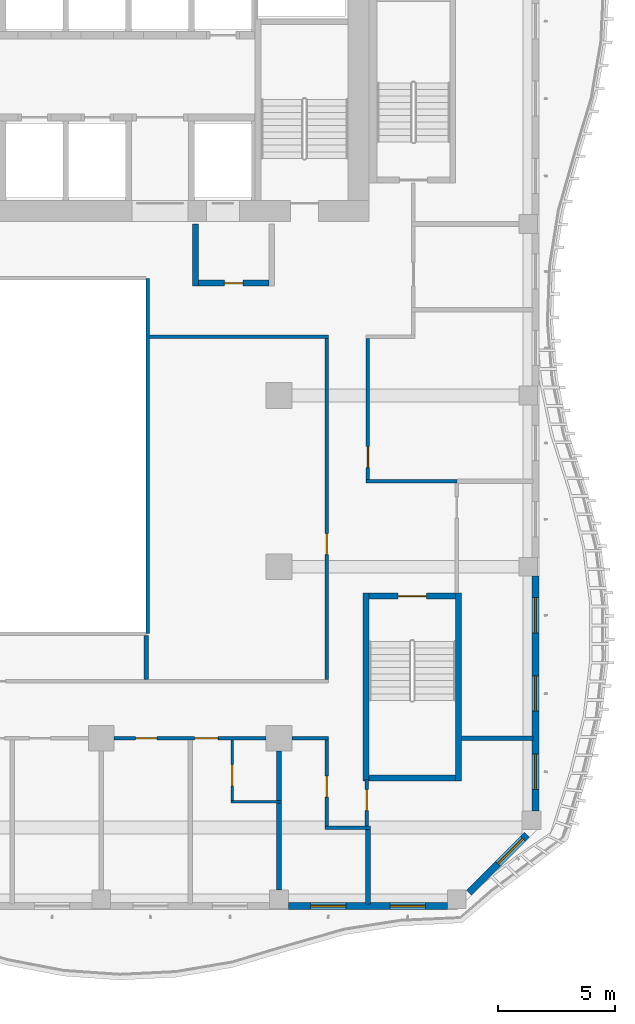
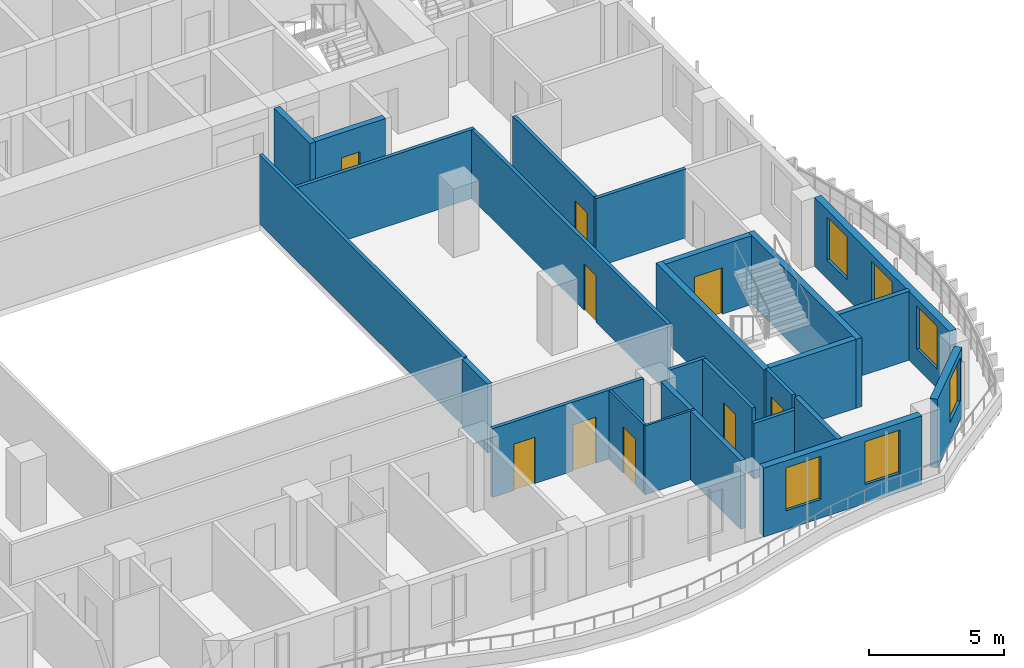
# One storey, part 5 of 22: 26 walls, 9 doors, 6 windows, 15 openings.
"""IFC4 building model written with IfcOpenShell, lengths in metres."""

from ifc_helpers import new_model, si_unit, direction, frame, frame_2d, origin, place, context, subcontext, project, spatial, rectangle, extrude, source, transform, mapped, material, layer, layer_set, type_object, element, fill, save


model = new_model("IFC4")

# Units and contexts
model_context = context("Model", 3, precision=1e-05, world=origin(), true_north=direction((0.0, 1.0)))
body_context = subcontext(model_context, "Body", "Model", "MODEL_VIEW")
ifc_project = project(units=[si_unit("LENGTHUNIT", "METRE"), si_unit("AREAUNIT", "SQUARE_METRE"), si_unit("VOLUMEUNIT", "CUBIC_METRE"), si_unit("PLANEANGLEUNIT", "RADIAN"), si_unit("MASSUNIT", "GRAM", prefix="KILO")], contexts=[model_context])

# Site, building, storey
site_placement = place(None, origin())
site = spatial("IfcSite", under=ifc_project, at=site_placement, CompositionType="ELEMENT")
building_placement = place(site_placement, origin())
building = spatial("IfcBuilding", under=site, at=building_placement, Name="Kilnfold Tower and Market Hall", CompositionType="ELEMENT")
storey_placement = place(building_placement, frame((0.0, 0.0, 143.89990234375)))
storey = spatial("IfcBuildingStorey", under=building, at=storey_placement, Name="L32", CompositionType="ELEMENT", Elevation=143.89990234375)

# Wall
ifc_material_1 = material(Name="Fire-resisting glazed screen")
ifc_layer_1 = layer(ifc_material_1, 0.14990234375)
ifc_layer_set_1 = layer_set([ifc_layer_1], Name="Fire-resisting glazed screen")
wall_type_1 = type_object("IfcWallType", Name="WALL ATRIUM 150", PredefinedType="PARTITIONING", material=ifc_layer_set_1)
wall_1_placement = place(storey_placement, frame((8.574951171875, 5.675048828125, 0.0), z_axis=(0.0, 0.0, 1.0), x_axis=(0.0, -1.0, 0.0)))
element("IfcWall", 1, at=wall_1_placement, inside=storey, type_object=wall_type_1, Name="Partition LY21.131", PredefinedType="PARTITIONING", context=body_context, shape_type="SweptSolid", body=[
    extrude(rectangle(XDim=15.150146484375, YDim=0.14990234375, at=frame_2d((7.5751953125, 0.0))), origin(), (0.0, 0.0, 1.0), 3.1201171875),
])

# Wall, openings, doors
ifc_material_2 = material(Name="Gypsum board on steel studs", Category="steel")
ifc_layer_2 = layer(ifc_material_2, 0.14990234375)
ifc_layer_set_2 = layer_set([ifc_layer_2], Name="Gypsum board on steel studs")
wall_type_2 = type_object("IfcWallType", Name="WALL CORRIDOR 150", PredefinedType="PARTITIONING", material=ifc_layer_set_2)
wall_2_placement = place(storey_placement, frame((7.133056640625, -13.93798828125, 0.0), z_axis=(0.0, 0.0, 1.0), x_axis=(1.0, 0.0, 0.0)))
wall_2 = element("IfcWall", 2, at=wall_2_placement, inside=storey, type_object=wall_type_2, Name="Partition LY21.5", PredefinedType="PARTITIONING", context=body_context, shape_type="SweptSolid", body=[
    extrude(rectangle(XDim=6.48388671875, YDim=0.14990234375, at=frame_2d((3.241943359375, 0.0))), origin(), (0.0, 0.0, 1.0), 3.1201171875),
])
opening_1_placement = place(wall_2_placement, frame((0.9189453125, 0.0, 0.0)))
opening_1 = element("IfcOpeningElement", 3, at=opening_1_placement, cuts=wall_2, Name="Opening D2", PredefinedType="OPENING", context=body_context, shape_type="SweptSolid", body=[
    extrude(rectangle(XDim=0.89990234375, YDim=2.10009765625, at=frame_2d((0.449951171875, 1.050048828125))), frame((0.0, 0.0849609375, 0.0), z_axis=(0.0, -1.0, 0.0), x_axis=(1.0, 0.0, 0.0)), (0.0, 0.0, 1.0), 0.169921875),
])
opening_2_placement = place(wall_2_placement, frame((3.431884765625, 0.0, 0.0)))
opening_2 = element("IfcOpeningElement", 4, at=opening_2_placement, cuts=wall_2, Name="Opening D1", PredefinedType="OPENING", context=body_context, shape_type="SweptSolid", body=[
    extrude(rectangle(XDim=1.0, YDim=2.10009765625, at=frame_2d((0.5, 1.050048828125))), frame((0.0, 0.0849609375, 0.0), z_axis=(0.0, -1.0, 0.0), x_axis=(1.0, 0.0, 0.0)), (0.0, 0.0, 1.0), 0.169921875),
])
ifc_material_3 = material(Name="Timber veneer door leaf in steel frame", Category="steel")
door_type_1 = type_object("IfcDoorType", Name="DOOR ENTRY 1000 X2100", OperationType="NOTDEFINED", PredefinedType="DOOR", material=ifc_material_3)
door_1_placement = place(opening_2_placement, origin())
door_1 = element("IfcDoor", 5, at=door_1_placement, inside=storey, type_object=door_type_1, Name="Door D1", OperationType="SINGLE_SWING_LEFT", OverallHeight=2.10009765625, OverallWidth=1.0, PredefinedType="DOOR", context=body_context, shape_type="SweptSolid", body=[
    extrude(rectangle(XDim=1.0, YDim=2.10009765625, at=frame_2d((0.5, 1.050048828125))), frame((0.0, 0.02490234375, 0.0), z_axis=(0.0, -1.0, 0.0), x_axis=(1.0, 0.0, 0.0)), (0.0, 0.0, 1.0), 0.050048828125),
])
fill(opening_2, door_1)
ifc_material_4 = material(Name="Timber veneer door leaf in steel frame", Category="steel")
door_type_2 = type_object("IfcDoorType", Name="DOOR ROOM 900 X2100", OperationType="NOTDEFINED", PredefinedType="DOOR", material=ifc_material_4)
door_2_placement = place(opening_1_placement, origin())
door_2 = element("IfcDoor", 6, at=door_2_placement, inside=storey, type_object=door_type_2, Name="Door D2", OperationType="SINGLE_SWING_RIGHT", OverallHeight=2.10009765625, OverallWidth=0.89990234375, PredefinedType="DOOR", context=body_context, shape_type="SweptSolid", body=[
    extrude(rectangle(XDim=0.89990234375, YDim=2.10009765625, at=frame_2d((0.449951171875, 1.050048828125))), frame((0.0, 0.02490234375, 0.0), z_axis=(0.0, -1.0, 0.0), x_axis=(1.0, 0.0, 0.0)), (0.0, 0.0, 1.0), 0.050048828125),
])
fill(opening_1, door_2)

# Wall
wall_3_placement = place(storey_placement, frame((16.125, -17.75, 0.0), z_axis=(0.0, 0.0, 1.0), x_axis=(1.0, 0.0, 0.0)))
element("IfcWall", 7, at=wall_3_placement, inside=storey, type_object=wall_type_2, Name="Partition LY21.6", PredefinedType="PARTITIONING", context=body_context, shape_type="SweptSolid", body=[
    extrude(rectangle(XDim=1.93408203125, YDim=0.14990234375, at=frame_2d((0.967041015625, 0.0))), origin(), (0.0, 0.0, 1.0), 2.52001953125),
])

# Wall, opening, door
wall_4_placement = place(storey_placement, frame((16.199951171875, -17.675048828125, 0.0), z_axis=(0.0, 0.0, 1.0), x_axis=(0.0, 1.0, 0.0)))
wall_4 = element("IfcWall", 8, at=wall_4_placement, inside=storey, type_object=wall_type_2, Name="Partition LY21.7", PredefinedType="PARTITIONING", context=body_context, shape_type="SweptSolid", body=[
    extrude(rectangle(XDim=3.662109375, YDim=0.14990234375, at=frame_2d((1.8310546875, 0.0))), origin(), (0.0, 0.0, 1.0), 3.1201171875),
])
opening_3_placement = place(wall_4_placement, frame((1.22705078125, 0.0, 0.0)))
opening_3 = element("IfcOpeningElement", 9, at=opening_3_placement, cuts=wall_4, Name="Opening D2", PredefinedType="OPENING", context=body_context, shape_type="SweptSolid", body=[
    extrude(rectangle(XDim=0.89990234375, YDim=2.10009765625, at=frame_2d((0.449951171875, 1.050048828125))), frame((0.0, 0.0849609375, 0.0), z_axis=(0.0, -1.0, 0.0), x_axis=(1.0, 0.0, 0.0)), (0.0, 0.0, 1.0), 0.169921875),
])
door_3_placement = place(opening_3_placement, origin())
door_3 = element("IfcDoor", 10, at=door_3_placement, inside=storey, type_object=door_type_2, Name="Door D2", OperationType="SINGLE_SWING_RIGHT", OverallHeight=2.10009765625, OverallWidth=0.89990234375, PredefinedType="DOOR", context=body_context, shape_type="SweptSolid", body=[
    extrude(rectangle(XDim=0.89990234375, YDim=2.10009765625, at=frame_2d((0.449951171875, 1.050048828125))), frame((0.0, 0.02490234375, 0.0), z_axis=(0.0, -1.0, 0.0), x_axis=(1.0, 0.0, 0.0)), (0.0, 0.0, 1.0), 0.050048828125),
])
fill(opening_3, door_3)

# Wall
wall_5_placement = place(storey_placement, frame((14.717041015625, -13.93798828125, 0.0), z_axis=(0.0, 0.0, 1.0), x_axis=(1.0, 0.0, 0.0)))
element("IfcWall", 11, at=wall_5_placement, inside=storey, type_object=wall_type_2, Name="Partition LY21.8", PredefinedType="PARTITIONING", context=body_context, shape_type="SweptSolid", body=[
    extrude(rectangle(XDim=1.557861328125, YDim=0.14990234375, at=frame_2d((0.77880859375, 0.0))), origin(), (0.0, 0.0, 1.0), 3.1201171875),
])

# Wall, opening, door
wall_6_placement = place(storey_placement, frame((17.908935546875, -17.675048828125, 0.0), z_axis=(0.0, 0.0, 1.0), x_axis=(0.0, 1.0, 0.0)))
wall_6 = element("IfcWall", 12, at=wall_6_placement, inside=storey, type_object=wall_type_2, Name="Partition LY21.9", PredefinedType="PARTITIONING", context=body_context, shape_type="SweptSolid", body=[
    extrude(rectangle(XDim=1.97509765625, YDim=0.14990234375, at=frame_2d((0.987548828125, 0.0))), origin(), (0.0, 0.0, 1.0), 3.1201171875),
])
opening_4_placement = place(wall_6_placement, frame((0.64990234375, 0.0, 0.0)))
opening_4 = element("IfcOpeningElement", 13, at=opening_4_placement, cuts=wall_6, Name="Opening D2", PredefinedType="OPENING", context=body_context, shape_type="SweptSolid", body=[
    extrude(rectangle(XDim=0.89990234375, YDim=2.10009765625, at=frame_2d((0.449951171875, 1.050048828125))), frame((0.0, 0.0849609375, 0.0), z_axis=(0.0, -1.0, 0.0), x_axis=(1.0, 0.0, 0.0)), (0.0, 0.0, 1.0), 0.169921875),
])
door_4_placement = place(opening_4_placement, origin())
door_4 = element("IfcDoor", 14, at=door_4_placement, inside=storey, type_object=door_type_2, Name="Door D2", OperationType="SINGLE_SWING_LEFT", OverallHeight=2.10009765625, OverallWidth=0.89990234375, PredefinedType="DOOR", context=body_context, shape_type="SweptSolid", body=[
    extrude(rectangle(XDim=0.89990234375, YDim=2.10009765625, at=frame_2d((0.449951171875, 1.050048828125))), frame((0.0, 0.02490234375, 0.0), z_axis=(0.0, -1.0, 0.0), x_axis=(1.0, 0.0, 0.0)), (0.0, 0.0, 1.0), 0.050048828125),
])
fill(opening_4, door_4)

wall_7_placement = place(storey_placement, frame((17.958984375, -2.89404296875, 0.0), z_axis=(0.0, 0.0, 1.0), x_axis=(0.0, 1.0, 0.0)))
wall_7 = element("IfcWall", 15, at=wall_7_placement, inside=storey, type_object=wall_type_2, Name="Partition LY21.33", PredefinedType="PARTITIONING", context=body_context, shape_type="SweptSolid", body=[
    extrude(rectangle(XDim=6.01904296875, YDim=0.14990234375, at=frame_2d((3.009521484375, 0.0))), origin(), (0.0, 0.0, 1.0), 3.1201171875),
])
opening_5_placement = place(wall_7_placement, frame((0.5009765625, 0.0, 0.0)))
opening_5 = element("IfcOpeningElement", 16, at=opening_5_placement, cuts=wall_7, Name="Opening D2", PredefinedType="OPENING", context=body_context, shape_type="SweptSolid", body=[
    extrude(rectangle(XDim=0.89990234375, YDim=2.10009765625, at=frame_2d((0.449951171875, 1.050048828125))), frame((0.0, 0.0849609375, 0.0), z_axis=(0.0, -1.0, 0.0), x_axis=(1.0, 0.0, 0.0)), (0.0, 0.0, 1.0), 0.169921875),
])
door_5_placement = place(opening_5_placement, origin())
door_5 = element("IfcDoor", 17, at=door_5_placement, inside=storey, type_object=door_type_2, Name="Door D2", OperationType="SINGLE_SWING_RIGHT", OverallHeight=2.10009765625, OverallWidth=0.89990234375, PredefinedType="DOOR", context=body_context, shape_type="SweptSolid", body=[
    extrude(rectangle(XDim=0.89990234375, YDim=2.10009765625, at=frame_2d((0.449951171875, 1.050048828125))), frame((0.0, 0.02490234375, 0.0), z_axis=(0.0, -1.0, 0.0), x_axis=(1.0, 0.0, 0.0)), (0.0, 0.0, 1.0), 0.050048828125),
])
fill(opening_5, door_5)

# Wall
wall_8_placement = place(storey_placement, frame((21.7509765625, -2.968994140625, 0.0), z_axis=(0.0, 0.0, 1.0), x_axis=(-1.0, 0.0, 0.0)))
element("IfcWall", 18, at=wall_8_placement, inside=storey, type_object=wall_type_2, Name="Partition LY21.34", PredefinedType="PARTITIONING", context=body_context, shape_type="SweptSolid", body=[
    extrude(rectangle(XDim=3.866943359375, YDim=0.14990234375, at=frame_2d((1.93359375, 0.0))), origin(), (0.0, 0.0, 1.0), 3.1201171875),
])

# Wall, opening, door
wall_9_placement = place(storey_placement, frame((16.199951171875, -11.425048828125, 0.0), z_axis=(0.0, 0.0, 1.0), x_axis=(0.0, 1.0, 0.0)))
wall_9 = element("IfcWall", 19, at=wall_9_placement, inside=storey, type_object=wall_type_2, Name="Partition LY21.43", PredefinedType="PARTITIONING", context=body_context, shape_type="SweptSolid", body=[
    extrude(rectangle(XDim=14.550048828125, YDim=0.14990234375, at=frame_2d((7.27490234375, 0.0))), origin(), (0.0, 0.0, 1.0), 3.1201171875),
])
opening_6_placement = place(wall_9_placement, frame((5.319091796875, 0.0, 0.0)))
opening_6 = element("IfcOpeningElement", 20, at=opening_6_placement, cuts=wall_9, Name="Opening D2", PredefinedType="OPENING", context=body_context, shape_type="SweptSolid", body=[
    extrude(rectangle(XDim=0.89990234375, YDim=2.10009765625, at=frame_2d((0.449951171875, 1.050048828125))), frame((0.0, 0.0849609375, 0.0), z_axis=(0.0, -1.0, 0.0), x_axis=(1.0, 0.0, 0.0)), (0.0, 0.0, 1.0), 0.169921875),
])
door_6_placement = place(opening_6_placement, origin())
door_6 = element("IfcDoor", 21, at=door_6_placement, inside=storey, type_object=door_type_2, Name="Door D2", OperationType="SINGLE_SWING_RIGHT", OverallHeight=2.10009765625, OverallWidth=0.89990234375, PredefinedType="DOOR", context=body_context, shape_type="SweptSolid", body=[
    extrude(rectangle(XDim=0.89990234375, YDim=2.10009765625, at=frame_2d((0.449951171875, 1.050048828125))), frame((0.0, 0.02490234375, 0.0), z_axis=(0.0, -1.0, 0.0), x_axis=(1.0, 0.0, 0.0)), (0.0, 0.0, 1.0), 0.050048828125),
])
fill(opening_6, door_6)

# Wall
wall_10_placement = place(storey_placement, frame((8.64990234375, 3.199951171875, 0.0), z_axis=(0.0, 0.0, 1.0), x_axis=(1.0, 0.0, 0.0)))
element("IfcWall", 22, at=wall_10_placement, inside=storey, type_object=wall_type_2, Name="Partition LY21.44", PredefinedType="PARTITIONING", context=body_context, shape_type="SweptSolid", body=[
    extrude(rectangle(XDim=7.625, YDim=0.14990234375, at=frame_2d((3.8125, 0.0))), origin(), (0.0, 0.0, 1.0), 3.1201171875),
])

# Wall, opening, door
ifc_material_5 = material(Name="Gypsum board on steel studs", Category="steel")
ifc_layer_3 = layer(ifc_material_5, 0.10009765625)
ifc_layer_set_3 = layer_set([ifc_layer_3], Name="Gypsum board on steel studs")
wall_type_3 = type_object("IfcWallType", Name="WALL PARTITION 100", PredefinedType="PARTITIONING", material=ifc_layer_set_3)
wall_11_placement = place(storey_placement, frame((12.1669921875, -16.590087890625, 0.0), z_axis=(0.0, 0.0, 1.0), x_axis=(0.0, 1.0, 0.0)))
wall_11 = element("IfcWall", 23, at=wall_11_placement, inside=storey, type_object=wall_type_3, Name="Partition LY21.59", PredefinedType="PARTITIONING", context=body_context, shape_type="SweptSolid", body=[
    extrude(rectangle(XDim=2.5751953125, YDim=0.10009765625, at=frame_2d((1.28759765625, 0.0))), origin(), (0.0, 0.0, 1.0), 3.1201171875),
])
opening_7_placement = place(wall_11_placement, frame((0.625, 0.0, 0.0)))
opening_7 = element("IfcOpeningElement", 24, at=opening_7_placement, cuts=wall_11, Name="Opening D3", PredefinedType="OPENING", context=body_context, shape_type="SweptSolid", body=[
    extrude(rectangle(XDim=0.89990234375, YDim=2.10009765625, at=frame_2d((0.449951171875, 1.050048828125))), frame((0.0, 0.06005859375, 0.0), z_axis=(0.0, -1.0, 0.0), x_axis=(1.0, 0.0, 0.0)), (0.0, 0.0, 1.0), 0.1201171875),
])
ifc_material_6 = material(Name="Timber veneer door leaf in steel frame", Category="steel")
door_type_3 = type_object("IfcDoorType", Name="DOOR WC 900 X2100", OperationType="NOTDEFINED", PredefinedType="DOOR", material=ifc_material_6)
door_7_placement = place(opening_7_placement, origin())
door_7 = element("IfcDoor", 25, at=door_7_placement, inside=storey, type_object=door_type_3, Name="Door D3", OperationType="SINGLE_SWING_LEFT", OverallHeight=2.10009765625, OverallWidth=0.89990234375, PredefinedType="DOOR", context=body_context, shape_type="SweptSolid", body=[
    extrude(rectangle(XDim=0.89990234375, YDim=2.10009765625, at=frame_2d((0.449951171875, 1.050048828125))), frame((0.0, 0.02490234375, 0.0), z_axis=(0.0, -1.0, 0.0), x_axis=(1.0, 0.0, 0.0)), (0.0, 0.0, 1.0), 0.050048828125),
])
fill(opening_7, door_7)

# Walls
wall_12_placement = place(storey_placement, frame((12.116943359375, -16.639892578125, 0.0), z_axis=(0.0, 0.0, 1.0), x_axis=(1.0, 0.0, 0.0)))
element("IfcWall", 26, at=wall_12_placement, inside=storey, type_object=wall_type_3, Name="Partition LY21.60", PredefinedType="PARTITIONING", context=body_context, shape_type="SweptSolid", body=[
    extrude(rectangle(XDim=2.150146484375, YDim=0.10009765625, at=frame_2d((1.0751953125, 0.0))), origin(), (0.0, 0.0, 1.0), 3.1201171875),
])
ifc_material_7 = material(Name="Gypsum board on steel studs", Category="steel")
ifc_layer_4 = layer(ifc_material_7, 0.199951171875)
ifc_layer_set_4 = layer_set([ifc_layer_4], Name="Gypsum board on steel studs")
wall_type_4 = type_object("IfcWallType", Name="WALL PARTY 200", PredefinedType="PARTITIONING", material=ifc_layer_set_4)
wall_13_placement = place(storey_placement, frame((14.1669921875, -20.39990234375, 0.0), z_axis=(0.0, 0.0, 1.0), x_axis=(0.0, 1.0, 0.0)))
element("IfcWall", 27, at=wall_13_placement, inside=storey, type_object=wall_type_4, Name="Partition LY21.61", PredefinedType="PARTITIONING", context=body_context, shape_type="SweptSolid", body=[
    extrude(rectangle(XDim=3.7099609375, YDim=0.199951171875, at=frame_2d((1.85498046875, 0.0))), origin(), (0.0, 0.0, 1.0), 3.1201171875),
])
wall_14_placement = place(storey_placement, frame((14.1669921875, -16.590087890625, 0.0), z_axis=(0.0, 0.0, 1.0), x_axis=(0.0, 1.0, 0.0)))
element("IfcWall", 28, at=wall_14_placement, inside=storey, type_object=wall_type_4, Name="Partition LY21.62", PredefinedType="PARTITIONING", context=body_context, shape_type="SweptSolid", body=[
    extrude(rectangle(XDim=2.10205078125, YDim=0.199951171875, at=frame_2d((1.051025390625, 0.0))), origin(), (0.0, 0.0, 1.0), 3.1201171875),
])
wall_15_placement = place(storey_placement, frame((17.958984375, -21.0, 0.0), z_axis=(0.0, 0.0, 1.0), x_axis=(0.0, 1.0, 0.0)))
element("IfcWall", 29, at=wall_15_placement, inside=storey, type_object=wall_type_4, Name="Partition LY21.63", PredefinedType="PARTITIONING", context=body_context, shape_type="SweptSolid", body=[
    extrude(rectangle(XDim=3.173095703125, YDim=0.199951171875, at=frame_2d((1.58642578125, 0.0))), origin(), (0.0, 0.0, 1.0), 3.1201171875),
])
wall_16_placement = place(storey_placement, frame((25.0, -13.93798828125, 0.0), z_axis=(0.0, 0.0, 1.0), x_axis=(-1.0, 0.0, 0.0)))
element("IfcWall", 30, at=wall_16_placement, inside=storey, type_object=wall_type_4, Name="Partition LY21.64", PredefinedType="PARTITIONING", context=body_context, shape_type="SweptSolid", body=[
    extrude(rectangle(XDim=3.050048828125, YDim=0.199951171875, at=frame_2d((1.52490234375, 0.0))), origin(), (0.0, 0.0, 1.0), 3.1201171875),
])
wall_17_placement = place(storey_placement, frame((8.5, -11.423095703125, 0.0), z_axis=(0.0, 0.0, 1.0), x_axis=(0.0, 1.0, 0.0)))
element("IfcWall", 31, at=wall_17_placement, inside=storey, type_object=wall_type_4, Name="Partition LY21.127", PredefinedType="PARTITIONING", context=body_context, shape_type="SweptSolid", body=[
    extrude(rectangle(XDim=1.873046875, YDim=0.199951171875, at=frame_2d((0.9365234375, 0.0))), origin(), (0.0, 0.0, 1.0), 3.1201171875),
])
ifc_material_8 = material(Name="Concrete C70", Category="concrete")
ifc_layer_5 = layer(ifc_material_8, 0.25)
ifc_layer_set_5 = layer_set([ifc_layer_5], Name="Concrete C70")
wall_type_5 = type_object("IfcWallType", Name="CORE WALL 250 C70", PredefinedType="SHEAR", material=ifc_layer_set_5)
shared_shape_1 = source(origin(), body_context, "Body", "SweptSolid", [
    extrude(rectangle(XDim=3.699951171875, YDim=0.25, at=frame_2d((1.85009765625, 0.0))), origin(), (0.0, 0.0, 1.0), 3.1201171875),
])
wall_18_placement = place(storey_placement, frame((18.0, -15.625, 0.0), z_axis=(0.0, 0.0, 1.0), x_axis=(1.0, 0.0, 0.0)))
element("IfcWall", 32, at=wall_18_placement, inside=storey, type_object=wall_type_5, Name="Stair enclosure ST4", PredefinedType="SHEAR", context=body_context, shape_type="MappedRepresentation", body=[
    mapped(shared_shape_1, transform((0.0, 0.0, 0.0))),
])

# Wall, opening, door
wall_19_placement = place(storey_placement, frame((18.0, -7.875, 0.0), z_axis=(0.0, 0.0, 1.0), x_axis=(1.0, 0.0, 0.0)))
wall_19 = element("IfcWall", 33, at=wall_19_placement, inside=storey, type_object=wall_type_5, Name="Stair enclosure ST4", PredefinedType="SHEAR", context=body_context, shape_type="MappedRepresentation", body=[
    mapped(shared_shape_1, transform((0.0, 0.0, 0.0))),
])
opening_8_placement = place(wall_19_placement, frame((1.25, 0.0, 0.0)))
opening_8 = element("IfcOpeningElement", 34, at=opening_8_placement, cuts=wall_19, Name="Opening SD1", PredefinedType="OPENING", context=body_context, shape_type="SweptSolid", body=[
    extrude(rectangle(XDim=1.199951171875, YDim=2.10009765625, at=frame_2d((0.60009765625, 1.050048828125))), frame((0.0, 0.135009765625, 0.0), z_axis=(0.0, -1.0, 0.0), x_axis=(1.0, 0.0, 0.0)), (0.0, 0.0, 1.0), 0.27001953125),
])
ifc_material_9 = material(Name="Steel door set with fire-resisting leaf", Category="steel")
door_type_4 = type_object("IfcDoorType", Name="STAIR FLOOR DOOR 1200X2100", OperationType="NOTDEFINED", PredefinedType="DOOR", material=ifc_material_9)
door_8_placement = place(opening_8_placement, origin())
door_8 = element("IfcDoor", 35, at=door_8_placement, inside=storey, type_object=door_type_4, Name="Exit stair ST4 door", OperationType="DOUBLE_DOOR_SINGLE_SWING", OverallHeight=2.10009765625, OverallWidth=1.199951171875, PredefinedType="DOOR", context=body_context, shape_type="SweptSolid", body=[
    extrude(rectangle(XDim=1.199951171875, YDim=2.10009765625, at=frame_2d((0.60009765625, 1.050048828125))), frame((0.0, 0.02490234375, 0.0), z_axis=(0.0, -1.0, 0.0), x_axis=(1.0, 0.0, 0.0)), (0.0, 0.0, 1.0), 0.050048828125),
])
fill(opening_8, door_8)

# Walls
shared_shape_2 = source(origin(), body_context, "Body", "SweptSolid", [
    extrude(rectangle(XDim=8.0, YDim=0.25, at=frame_2d((4.0, 0.0))), origin(), (0.0, 0.0, 1.0), 3.1201171875),
])
for number, where, z_axis, x_axis, name in (
    (36, (17.875, -15.75, 0.0), (0.0, 0.0, 1.0), (0.0, 1.0, 0.0), "Stair enclosure ST4"),
    (37, (21.824951171875, -15.75, 0.0), (0.0, 0.0, 1.0), (0.0, 1.0, 0.0), "Stair enclosure ST4"),
):
    element("IfcWall", number, at=place(storey_placement, frame(where, z_axis=z_axis, x_axis=x_axis)), inside=storey, type_object=wall_type_5, Name=name, PredefinedType="SHEAR", context=body_context, shape_type="MappedRepresentation", body=[
        mapped(shared_shape_2, transform((0.0, 0.0, 0.0))),
    ])

# Wall, openings, windows
ifc_material_10 = material(Name="Precast concrete C50/60", Category="concrete")
ifc_layer_6 = layer(ifc_material_10, 0.300048828125)
ifc_layer_set_6 = layer_set([ifc_layer_6], Name="Precast concrete C50/60")
wall_type_6 = type_object("IfcWallType", Name="PRECAST WALL 300", PredefinedType="SOLIDWALL", material=ifc_layer_set_6)
shared_shape_3 = source(origin(), body_context, "Body", "SweptSolid", [
    extrude(rectangle(XDim=6.783447265625, YDim=0.300048828125, at=frame_2d((3.3916015625, 0.0))), origin(), (0.0, 0.0, 1.0), 3.1201171875),
])
wall_20_placement = place(storey_placement, frame((14.566650390625, -21.10009765625, 0.0), z_axis=(0.0, 0.0, 1.0), x_axis=(1.0, 0.0, 0.0)))
wall_20 = element("IfcWall", 38, at=wall_20_placement, inside=storey, type_object=wall_type_6, Name="External wall L32 S", PredefinedType="SOLIDWALL", context=body_context, shape_type="MappedRepresentation", body=[
    mapped(shared_shape_3, transform((0.0, 0.0, 0.0))),
])
opening_9_placement = place(wall_20_placement, frame((0.94580078125, 0.0, 0.85009765625)))
opening_9 = element("IfcOpeningElement", 39, at=opening_9_placement, cuts=wall_20, Name="Opening W4", PredefinedType="OPENING", context=body_context, shape_type="SweptSolid", body=[
    extrude(rectangle(XDim=1.5, YDim=1.949951171875, at=frame_2d((0.75, 0.97509765625))), frame((0.0, 0.16015625, 0.0), z_axis=(0.0, -1.0, 0.0), x_axis=(1.0, 0.0, 0.0)), (0.0, 0.0, 1.0), 0.320068359375),
])
opening_10_placement = place(wall_20_placement, frame((4.33740234375, 0.0, 0.85009765625)))
opening_10 = element("IfcOpeningElement", 40, at=opening_10_placement, cuts=wall_20, Name="Opening W4", PredefinedType="OPENING", context=body_context, shape_type="SweptSolid", body=[
    extrude(rectangle(XDim=1.5, YDim=1.949951171875, at=frame_2d((0.75, 0.97509765625))), frame((0.0, 0.16015625, 0.0), z_axis=(0.0, -1.0, 0.0), x_axis=(1.0, 0.0, 0.0)), (0.0, 0.0, 1.0), 0.320068359375),
])
ifc_material_11 = material(Name="Aluminium frame and double glazing", Category="aluminium")
window_type = type_object("IfcWindowType", Name="WINDOW W4 1500X1950", PartitioningType="SINGLE_PANEL", PredefinedType="WINDOW", material=ifc_material_11)
window_1_placement = place(opening_9_placement, origin())
window_1 = element("IfcWindow", 41, at=window_1_placement, inside=storey, type_object=window_type, Name="Window W4 L32 S-1", OverallHeight=1.949951171875, OverallWidth=1.5, PartitioningType="SINGLE_PANEL", PredefinedType="WINDOW", context=body_context, shape_type="SweptSolid", body=[
    extrude(rectangle(XDim=1.5, YDim=1.949951171875, at=frame_2d((0.75, 0.97509765625))), frame((0.0, 0.030029296875, 0.0), z_axis=(0.0, -1.0, 0.0), x_axis=(1.0, 0.0, 0.0)), (0.0, 0.0, 1.0), 0.06005859375),
])
fill(opening_9, window_1)
window_2_placement = place(opening_10_placement, origin())
window_2 = element("IfcWindow", 42, at=window_2_placement, inside=storey, type_object=window_type, Name="Window W4 L32 S-2", OverallHeight=1.949951171875, OverallWidth=1.5, PartitioningType="SINGLE_PANEL", PredefinedType="WINDOW", context=body_context, shape_type="SweptSolid", body=[
    extrude(rectangle(XDim=1.5, YDim=1.949951171875, at=frame_2d((0.75, 0.97509765625))), frame((0.0, 0.030029296875, 0.0), z_axis=(0.0, -1.0, 0.0), x_axis=(1.0, 0.0, 0.0)), (0.0, 0.0, 1.0), 0.06005859375),
])
fill(opening_10, window_2)

# Wall, opening, window
shared_shape_4 = source(origin(), body_context, "Body", "SweptSolid", [
    extrude(rectangle(XDim=3.500244140625, YDim=0.300048828125, at=frame_2d((1.75, 0.0))), origin(), (0.0, 0.0, 1.0), 3.1201171875),
])
wall_21_placement = place(storey_placement, frame((22.268798828125, -20.518798828125, 0.0), z_axis=(0.0, 0.0, 1.0), x_axis=(0.707141656123, 0.70707190453, 0.0)))
wall_21 = element("IfcWall", 43, at=wall_21_placement, inside=storey, type_object=wall_type_6, Name="External wall L32 SE", PredefinedType="SOLIDWALL", context=body_context, shape_type="MappedRepresentation", body=[
    mapped(shared_shape_4, transform((0.0, 0.0, 0.0))),
])
opening_11_placement = place(wall_21_placement, frame((1.75, 0.0, 0.85009765625)))
opening_11 = element("IfcOpeningElement", 44, at=opening_11_placement, cuts=wall_21, Name="Opening W4", PredefinedType="OPENING", context=body_context, shape_type="SweptSolid", body=[
    extrude(rectangle(XDim=1.5, YDim=1.949951171875, at=frame_2d((0.75, 0.97509765625))), frame((0.0, 0.16015625, 0.0), z_axis=(0.0, -1.0, 0.0), x_axis=(1.0, 0.0, 0.0)), (0.0, 0.0, 1.0), 0.320068359375),
])
window_3_placement = place(opening_11_placement, origin())
window_3 = element("IfcWindow", 45, at=window_3_placement, inside=storey, type_object=window_type, Name="Window W4 L32 SE-1", OverallHeight=1.949951171875, OverallWidth=1.5, PartitioningType="SINGLE_PANEL", PredefinedType="WINDOW", context=body_context, shape_type="SweptSolid", body=[
    extrude(rectangle(XDim=1.5, YDim=1.949951171875, at=frame_2d((0.75, 0.97509765625))), frame((0.0, 0.030029296875, 0.0), z_axis=(0.0, -1.0, 0.0), x_axis=(1.0, 0.0, 0.0)), (0.0, 0.0, 1.0), 0.06005859375),
])
fill(opening_11, window_3)

# Wall, openings, windows
shared_shape_5 = source(origin(), body_context, "Body", "SweptSolid", [
    extrude(rectangle(XDim=10.0068359375, YDim=0.300048828125, at=frame_2d((5.00341796875, 0.0))), origin(), (0.0, 0.0, 1.0), 3.1201171875),
])
wall_22_placement = place(storey_placement, frame((25.10009765625, -17.03173828125, 0.0), z_axis=(0.0, 0.0, 1.0), x_axis=(0.0, 1.0, 0.0)))
wall_22 = element("IfcWall", 46, at=wall_22_placement, inside=storey, type_object=wall_type_6, Name="External wall L32 E", PredefinedType="SOLIDWALL", context=body_context, shape_type="MappedRepresentation", body=[
    mapped(shared_shape_5, transform((0.0, 0.0, 0.0))),
])
opening_12_placement = place(wall_22_placement, frame((0.917724609375, 0.0, 0.85009765625)))
opening_12 = element("IfcOpeningElement", 47, at=opening_12_placement, cuts=wall_22, Name="Opening W4", PredefinedType="OPENING", context=body_context, shape_type="SweptSolid", body=[
    extrude(rectangle(XDim=1.5, YDim=1.949951171875, at=frame_2d((0.75, 0.97509765625))), frame((0.0, 0.16015625, 0.0), z_axis=(0.0, -1.0, 0.0), x_axis=(1.0, 0.0, 0.0)), (0.0, 0.0, 1.0), 0.320068359375),
])
opening_13_placement = place(wall_22_placement, frame((4.25341796875, 0.0, 0.85009765625)))
opening_13 = element("IfcOpeningElement", 48, at=opening_13_placement, cuts=wall_22, Name="Opening W4", PredefinedType="OPENING", context=body_context, shape_type="SweptSolid", body=[
    extrude(rectangle(XDim=1.5, YDim=1.949951171875, at=frame_2d((0.75, 0.97509765625))), frame((0.0, 0.16015625, 0.0), z_axis=(0.0, -1.0, 0.0), x_axis=(1.0, 0.0, 0.0)), (0.0, 0.0, 1.0), 0.320068359375),
])
opening_14_placement = place(wall_22_placement, frame((7.589111328125, 0.0, 0.85009765625)))
opening_14 = element("IfcOpeningElement", 49, at=opening_14_placement, cuts=wall_22, Name="Opening W4", PredefinedType="OPENING", context=body_context, shape_type="SweptSolid", body=[
    extrude(rectangle(XDim=1.5, YDim=1.949951171875, at=frame_2d((0.75, 0.97509765625))), frame((0.0, 0.16015625, 0.0), z_axis=(0.0, -1.0, 0.0), x_axis=(1.0, 0.0, 0.0)), (0.0, 0.0, 1.0), 0.320068359375),
])
window_4_placement = place(opening_12_placement, origin())
window_4 = element("IfcWindow", 50, at=window_4_placement, inside=storey, type_object=window_type, Name="Window W4 L32 E-1", OverallHeight=1.949951171875, OverallWidth=1.5, PartitioningType="SINGLE_PANEL", PredefinedType="WINDOW", context=body_context, shape_type="SweptSolid", body=[
    extrude(rectangle(XDim=1.5, YDim=1.949951171875, at=frame_2d((0.75, 0.97509765625))), frame((0.0, 0.030029296875, 0.0), z_axis=(0.0, -1.0, 0.0), x_axis=(1.0, 0.0, 0.0)), (0.0, 0.0, 1.0), 0.06005859375),
])
fill(opening_12, window_4)
window_5_placement = place(opening_13_placement, origin())
window_5 = element("IfcWindow", 51, at=window_5_placement, inside=storey, type_object=window_type, Name="Window W4 L32 E-2", OverallHeight=1.949951171875, OverallWidth=1.5, PartitioningType="SINGLE_PANEL", PredefinedType="WINDOW", context=body_context, shape_type="SweptSolid", body=[
    extrude(rectangle(XDim=1.5, YDim=1.949951171875, at=frame_2d((0.75, 0.97509765625))), frame((0.0, 0.030029296875, 0.0), z_axis=(0.0, -1.0, 0.0), x_axis=(1.0, 0.0, 0.0)), (0.0, 0.0, 1.0), 0.06005859375),
])
fill(opening_13, window_5)
window_6_placement = place(opening_14_placement, origin())
window_6 = element("IfcWindow", 52, at=window_6_placement, inside=storey, type_object=window_type, Name="Window W4 L32 E-3", OverallHeight=1.949951171875, OverallWidth=1.5, PartitioningType="SINGLE_PANEL", PredefinedType="WINDOW", context=body_context, shape_type="SweptSolid", body=[
    extrude(rectangle(XDim=1.5, YDim=1.949951171875, at=frame_2d((0.75, 0.97509765625))), frame((0.0, 0.030029296875, 0.0), z_axis=(0.0, -1.0, 0.0), x_axis=(1.0, 0.0, 0.0)), (0.0, 0.0, 1.0), 0.06005859375),
])
fill(opening_14, window_6)

# Wall
ifc_material_12 = material(Name="Gypsum shaft wall system")
ifc_layer_7 = layer(ifc_material_12, 0.25)
ifc_layer_set_7 = layer_set([ifc_layer_7], Name="Gypsum shaft wall system")
wall_type_7 = type_object("IfcWallType", Name="LOBBY WALL 250", PredefinedType="PARTITIONING", material=ifc_layer_set_7)
shared_shape_6 = source(origin(), body_context, "Body", "SweptSolid", [
    extrude(rectangle(XDim=2.64990234375, YDim=0.25, at=frame_2d((1.324951171875, 0.0))), origin(), (0.0, 0.0, 1.0), 3.1201171875),
])
wall_23_placement = place(storey_placement, frame((10.60498046875, 5.35009765625, 0.0), z_axis=(0.0, 0.0, 1.0), x_axis=(0.0, 1.0, 0.0)))
element("IfcWall", 53, at=wall_23_placement, inside=storey, type_object=wall_type_7, Name="Firefighting lobby wall", PredefinedType="PARTITIONING", context=body_context, shape_type="MappedRepresentation", body=[
    mapped(shared_shape_6, transform((0.0, 0.0, 0.0))),
])

# Wall, opening, door
shared_shape_7 = source(origin(), body_context, "Body", "SweptSolid", [
    extrude(rectangle(XDim=3.0, YDim=0.25, at=frame_2d((1.5, 0.0))), origin(), (0.0, 0.0, 1.0), 3.1201171875),
])
wall_24_placement = place(storey_placement, frame((10.72998046875, 5.47509765625, 0.0), z_axis=(0.0, 0.0, 1.0), x_axis=(1.0, 0.0, 0.0)))
wall_24 = element("IfcWall", 54, at=wall_24_placement, inside=storey, type_object=wall_type_7, Name="Firefighting lobby wall", PredefinedType="PARTITIONING", context=body_context, shape_type="MappedRepresentation", body=[
    mapped(shared_shape_7, transform((0.0, 0.0, 0.0))),
])
opening_15_placement = place(wall_24_placement, frame((1.10009765625, 0.0, 0.0)))
opening_15 = element("IfcOpeningElement", 55, at=opening_15_placement, cuts=wall_24, Name="Opening VD1", PredefinedType="OPENING", context=body_context, shape_type="SweptSolid", body=[
    extrude(rectangle(XDim=0.800048828125, YDim=2.0, at=frame_2d((0.39990234375, 1.0))), frame((0.0, 0.135009765625, 0.0), z_axis=(0.0, -1.0, 0.0), x_axis=(1.0, 0.0, 0.0)), (0.0, 0.0, 1.0), 0.27001953125),
])
ifc_material_13 = material(Name="Steel door set with fire-resisting leaf", Category="steel")
door_type_5 = type_object("IfcDoorType", Name="FIREFIGHTING LOBBY DOOR 800X2000", OperationType="NOTDEFINED", PredefinedType="DOOR", material=ifc_material_13)
door_9_placement = place(opening_15_placement, origin())
door_9 = element("IfcDoor", 56, at=door_9_placement, inside=storey, type_object=door_type_5, Name="Firefighting lobby door", OperationType="SINGLE_SWING_RIGHT", OverallHeight=2.0, OverallWidth=0.800048828125, PredefinedType="DOOR", context=body_context, shape_type="SweptSolid", body=[
    extrude(rectangle(XDim=0.800048828125, YDim=2.0, at=frame_2d((0.39990234375, 1.0))), frame((0.0, 0.02490234375, 0.0), z_axis=(0.0, -1.0, 0.0), x_axis=(1.0, 0.0, 0.0)), (0.0, 0.0, 1.0), 0.050048828125),
])
fill(opening_15, door_9)

save(model, "model.ifc")
